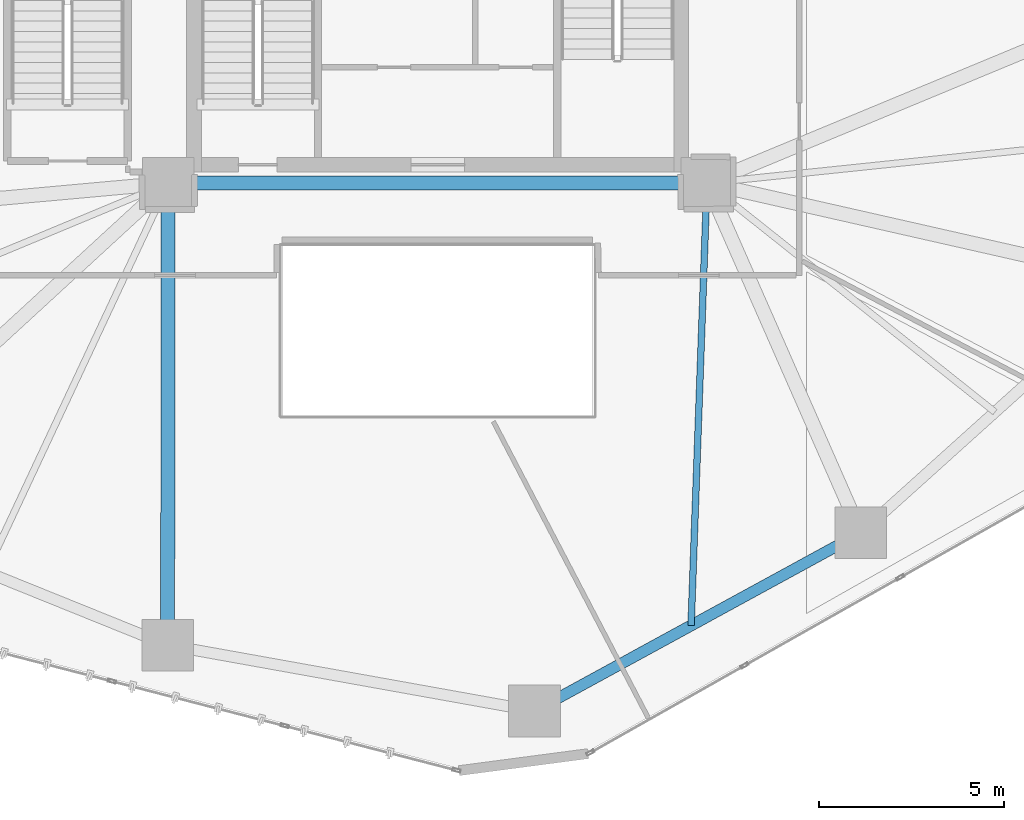
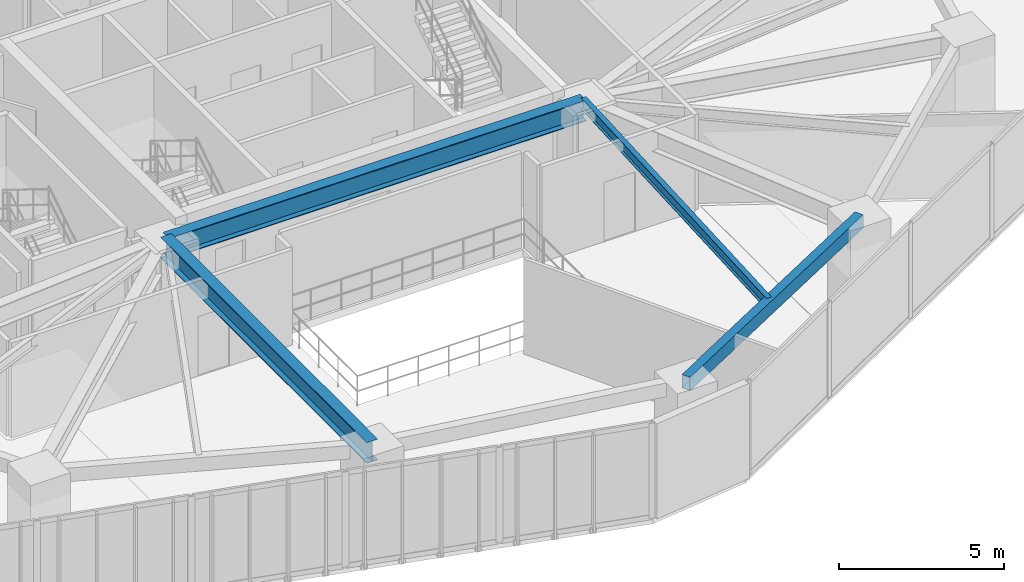
# One storey, part 5 of 23: 4 beams.
"""IFC4 building model written with IfcOpenShell, lengths in metres."""

from ifc_helpers import new_model, si_unit, direction, frame, origin, origin_2d, place, context, subcontext, project, spatial, hollow_rectangle, i_section, extrude, material, material_profile, profile_set, type_object, element, save


model = new_model("IFC4")

# Units and contexts
model_context = context("Model", 3, precision=1e-05, world=origin(), true_north=direction((0.0, 1.0)))
body_context = subcontext(model_context, "Body", "Model", "MODEL_VIEW")
ifc_project = project(units=[si_unit("LENGTHUNIT", "METRE"), si_unit("AREAUNIT", "SQUARE_METRE"), si_unit("VOLUMEUNIT", "CUBIC_METRE"), si_unit("PLANEANGLEUNIT", "RADIAN"), si_unit("MASSUNIT", "GRAM", prefix="KILO")], contexts=[model_context])

# Site, building, storey
site_placement = place(None, origin())
site = spatial("IfcSite", under=ifc_project, at=site_placement, CompositionType="ELEMENT")
building_placement = place(site_placement, origin())
building = spatial("IfcBuilding", under=site, at=building_placement, Name="Talar Marvaseh", CompositionType="ELEMENT")
storey_placement = place(building_placement, frame((0.0, 0.0, 46.800048828125)))
storey = spatial("IfcBuildingStorey", under=building, at=storey_placement, Name="L11", CompositionType="ELEMENT", Elevation=46.800048828125)

# Beams
ifc_material = material(Name="Steel S355", Category="steel")
ifc_material_profile_1 = material_profile(ifc_material, hollow_rectangle(XDim=0.300048828125, YDim=0.5, WallThickness=0.02001953125, at=origin_2d()), Name="RHS500x300x20")
ifc_profile_set_1 = profile_set([ifc_material_profile_1], Name="Steel S355")
beam_type_1 = type_object("IfcBeamType", Name="Zone 1 Perimeter Spandrel Beam RHS500x300x20", PredefinedType="SPANDREL", material=ifc_profile_set_1)
beam_1_placement = place(storey_placement, frame((37.468017578125, 16.02099609375, 3.27001953125), z_axis=(-0.877792749602, -0.47904059196, 0.0), x_axis=(0.47904059196, -0.877792749602, 0.0)))
element("IfcBeam", 1, at=beam_1_placement, inside=storey, type_object=beam_type_1, Name="L11 Zone 1 Perimeter Spandrel Beam RHS500x300x20", PredefinedType="SPANDREL", context=body_context, shape_type="SweptSolid", body=[
    extrude(hollow_rectangle(XDim=0.300048828125, YDim=0.5, WallThickness=0.02001953125, at=origin_2d()), origin(), (0.0, 0.0, 1.0), 10.07421875),
])
ifc_material_profile_2 = material_profile(ifc_material, i_section(OverallWidth=0.381103515625, OverallDepth=0.77294921875, WebThickness=0.0166015625, FlangeThickness=0.027099609375, at=origin_2d()), Name="W760x257")
ifc_profile_set_2 = profile_set([ifc_material_profile_2], Name="Steel S355")
beam_type_2 = type_object("IfcBeamType", Name="Zone 1 Radial Floor Girder W760x257", PredefinedType="BEAM", material=ifc_profile_set_2)
beam_2_placement = place(storey_placement, frame((18.699951171875, 25.5, 3.133544921875), z_axis=(1.0, 0.0, 0.0), x_axis=(0.0, 1.0, 0.0)))
element("IfcBeam", 2, at=beam_2_placement, inside=storey, type_object=beam_type_2, Name="L11 Zone 1 Radial Floor Girder W760x257", PredefinedType="BEAM", context=body_context, shape_type="SweptSolid", body=[
    extrude(i_section(OverallWidth=0.381103515625, OverallDepth=0.77294921875, WebThickness=0.0166015625, FlangeThickness=0.027099609375, at=origin_2d()), origin(), (0.0, 0.0, 1.0), 14.60009765625),
])
beam_3_placement = place(storey_placement, frame((18.68310546875, 12.97900390625, 3.133544921875), z_axis=(0.001345395187, 0.999999094955, 0.0), x_axis=(-0.999999094955, 0.001345395187, 0.0)))
element("IfcBeam", 3, at=beam_3_placement, inside=storey, type_object=beam_type_2, Name="L11 Zone 1 Radial Floor Girder W760x257", PredefinedType="BEAM", context=body_context, shape_type="SweptSolid", body=[
    extrude(i_section(OverallWidth=0.381103515625, OverallDepth=0.77294921875, WebThickness=0.0166015625, FlangeThickness=0.027099609375, at=origin_2d()), origin(), (0.0, 0.0, 1.0), 12.52099609375),
])
ifc_material_profile_3 = material_profile(ifc_material, i_section(OverallWidth=0.179931640625, OverallDepth=0.4130859375, WebThickness=0.009765625, FlangeThickness=0.01611328125, at=origin_2d()), Name="W410x75")
ifc_profile_set_3 = profile_set([ifc_material_profile_3], Name="Steel S355")
beam_type_3 = type_object("IfcBeamType", Name="Zone 1 Secondary Floor Joist W410x75", PredefinedType="JOIST", material=ifc_profile_set_3)
beam_4_placement = place(storey_placement, frame((32.86962890625, 13.511474609375, 3.3134765625), z_axis=(0.035879540639, 0.999356121992, 0.0), x_axis=(-0.999356121992, 0.035879540639, 0.0)))
element("IfcBeam", 4, at=beam_4_placement, inside=storey, type_object=beam_type_3, Name="L11 Zone 1 Secondary Floor Joist W410x75", PredefinedType="JOIST", context=body_context, shape_type="SweptSolid", body=[
    extrude(i_section(OverallWidth=0.179931640625, OverallDepth=0.4130859375, WebThickness=0.009765625, FlangeThickness=0.01611328125, at=origin_2d()), origin(), (0.0, 0.0, 1.0), 11.996337890625),
])

save(model, "model.ifc")
